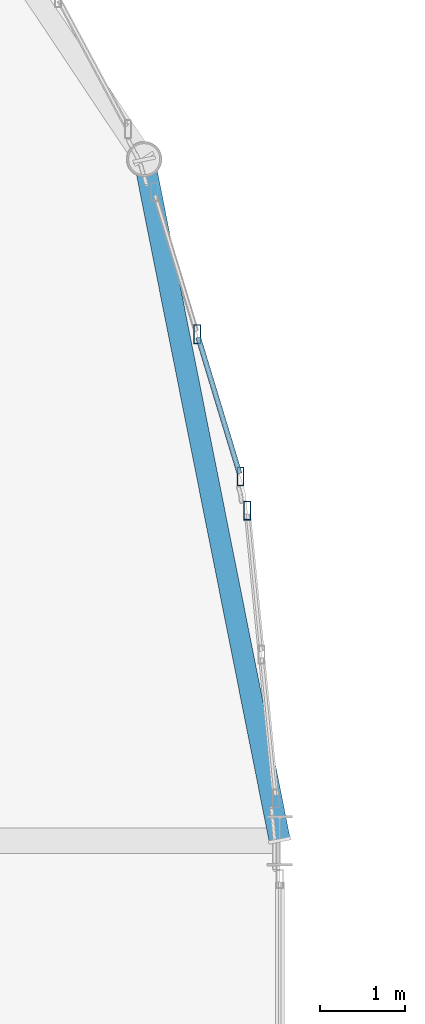
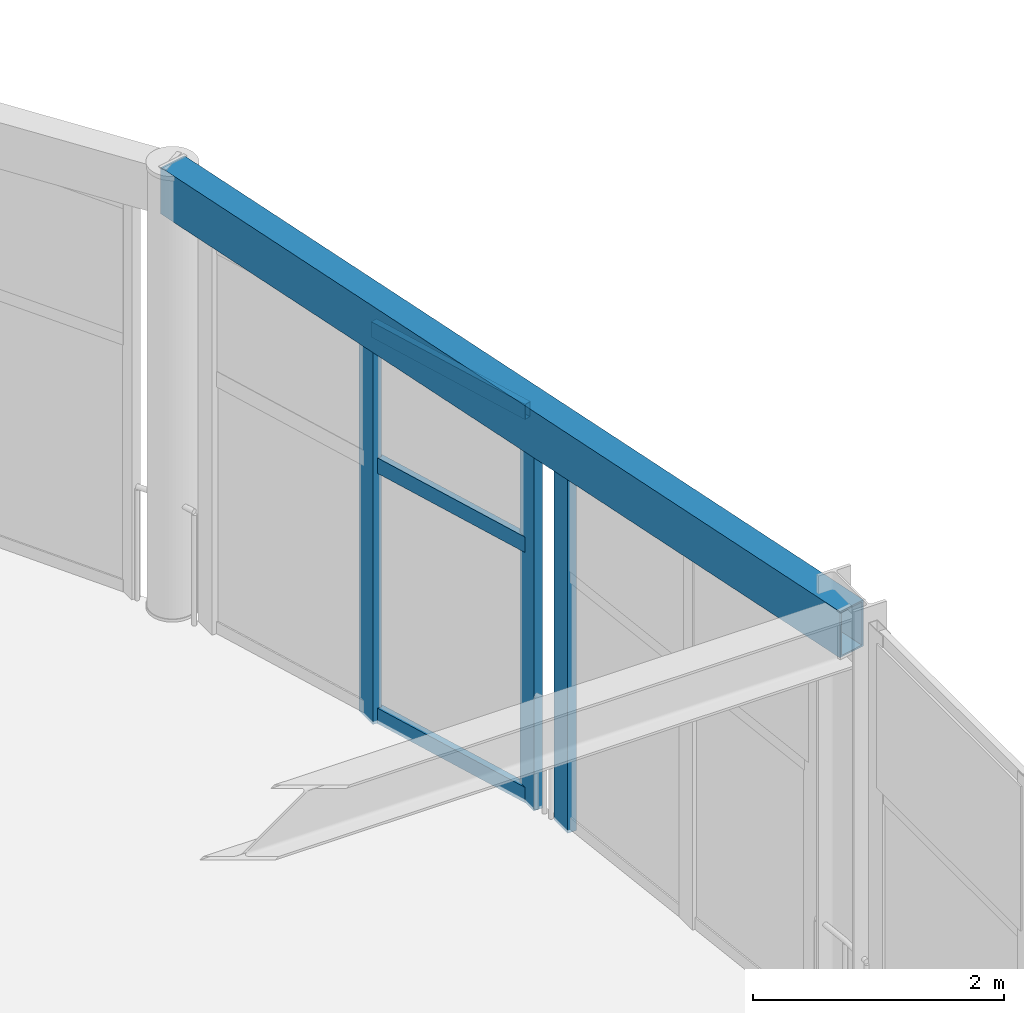
# One storey, part 48 of 105: 6 members, 1 beam, 2 elements without a shape of their own.
"""IFC4 building model written with IfcOpenShell, lengths in metres."""

from ifc_helpers import new_model, si_unit, direction, frame, origin, origin_2d, place, context, subcontext, project, spatial, hollow_rectangle, extrude, material, layer, layer_set, material_profile, profile_set, type_object, element, aggregate, save


model = new_model("IFC4")

# Units and contexts
model_context = context("Model", 3, precision=1e-05, world=origin(), true_north=direction((0.0, 1.0)))
body_context = subcontext(model_context, "Body", "Model", "MODEL_VIEW")
ifc_project = project(units=[si_unit("LENGTHUNIT", "METRE"), si_unit("AREAUNIT", "SQUARE_METRE"), si_unit("VOLUMEUNIT", "CUBIC_METRE"), si_unit("PLANEANGLEUNIT", "RADIAN"), si_unit("MASSUNIT", "GRAM", prefix="KILO")], contexts=[model_context])

# Site, building, storey
site_placement = place(None, origin())
site = spatial("IfcSite", under=ifc_project, at=site_placement, CompositionType="ELEMENT")
building_placement = place(site_placement, origin())
building = spatial("IfcBuilding", under=site, at=building_placement, Name="Marlcrest Central Station", CompositionType="ELEMENT")
storey_placement = place(building_placement, frame((0.0, 0.0, 15.0)))
storey = spatial("IfcBuildingStorey", under=building, at=storey_placement, Name="L03", CompositionType="ELEMENT", Elevation=15.0)

# Curtain wall, members
ifc_material_1 = material(Name="Anodised aluminium and hurricane laminated glass", Category="aluminium")
ifc_layer = layer(ifc_material_1, 0.219970703125, Name="CW-U1")
ifc_layer_set = layer_set([ifc_layer], Name="Anodised aluminium and hurricane laminated glass")
curtain_wall_type = type_object("IfcCurtainWallType", Name="CW-U1", PredefinedType="USERDEFINED", material=ifc_layer_set)
curtain_wall_1_placement = place(storey_placement, origin())
curtain_wall_1 = element("IfcCurtainWall", 1, at=curtain_wall_1_placement, inside=storey, type_object=curtain_wall_type, Name="cw-L03-0097", ObjectType="UNITISED_CURTAIN_WALL", PredefinedType="USERDEFINED")
ifc_material_2 = material(Name="Anodised aluminium 6063-T6", Category="aluminium")
ifc_material_profile_1 = material_profile(ifc_material_2, hollow_rectangle(XDim=0.080078125, YDim=0.219970703125, WallThickness=0.006103515625, at=origin_2d()), Name="AA-RHS 220x80x6")
ifc_profile_set_1 = profile_set([ifc_material_profile_1], Name="Anodised aluminium 6063-T6")
member_type_1 = type_object("IfcMemberType", Name="ML-01", PredefinedType="MULLION", material=ifc_profile_set_1)
member_1_placement = place(storey_placement, frame((128.02734375, 116.4716796875, -0.030029296875), z_axis=(0.0, 0.0, 1.0), x_axis=(1.0, 0.0, 0.0)))
member_1 = element("IfcMember", 2, at=member_1_placement, type_object=member_type_1, Name="cw-L03-0097-ml-1", PredefinedType="MULLION", context=body_context, shape_type="SweptSolid", body=[
    extrude(hollow_rectangle(XDim=0.080078125, YDim=0.219970703125, WallThickness=0.006103515625, at=origin_2d()), origin(), (0.0, 0.0, 1.0), 3.860107421875),
])
member_2_placement = place(storey_placement, frame((128.5361328125, 114.7939453125, -0.030029296875), z_axis=(0.0, 0.0, 1.0), x_axis=(1.0, 0.0, 0.0)))
member_2 = element("IfcMember", 3, at=member_2_placement, type_object=member_type_1, Name="cw-L03-0097-ml-2", PredefinedType="MULLION", context=body_context, shape_type="SweptSolid", body=[
    extrude(hollow_rectangle(XDim=0.080078125, YDim=0.219970703125, WallThickness=0.006103515625, at=origin_2d()), origin(), (0.0, 0.0, 1.0), 3.860107421875),
])

# Curtain wall, member
curtain_wall_2_placement = place(storey_placement, origin())
curtain_wall_2 = element("IfcCurtainWall", 4, at=curtain_wall_2_placement, inside=storey, type_object=curtain_wall_type, Name="cw-L03-0098", ObjectType="UNITISED_CURTAIN_WALL", PredefinedType="USERDEFINED")
member_3_placement = place(storey_placement, frame((128.6162109375, 114.39208984375, -0.030029296875), z_axis=(0.0, 0.0, 1.0), x_axis=(1.0, 0.0, 0.0)))
member_3 = element("IfcMember", 5, at=member_3_placement, type_object=member_type_1, Name="cw-L03-0098-ml-0", PredefinedType="MULLION", context=body_context, shape_type="SweptSolid", body=[
    extrude(hollow_rectangle(XDim=0.080078125, YDim=0.219970703125, WallThickness=0.006103515625, at=origin_2d()), origin(), (0.0, 0.0, 1.0), 3.860107421875),
])
aggregate(curtain_wall_2, [member_3])

# Beam
ifc_material_3 = material(Name="Steel S355", Category="steel")
ifc_material_profile_2 = material_profile(ifc_material_3, hollow_rectangle(XDim=0.25, YDim=0.449951171875, WallThickness=0.01611328125, at=origin_2d()), Name="RHS 450x250x16")
ifc_profile_set_2 = profile_set([ifc_material_profile_2], Name="Steel S355")
beam_type = type_object("IfcBeamType", Name="SP-02", PredefinedType="SPANDREL", material=ifc_profile_set_2)
beam_placement = place(storey_placement, frame((127.40087890625, 118.535888671875, 4.10009765625), z_axis=(0.19517056122, -0.980769316421, 0.0), x_axis=(0.980769316421, 0.19517056122, 0.0)))
element("IfcBeam", 6, at=beam_placement, inside=storey, type_object=beam_type, Name="bm-SP-02-L03-01525", PredefinedType="SPANDREL", context=body_context, shape_type="SweptSolid", body=[
    extrude(hollow_rectangle(XDim=0.25, YDim=0.449951171875, WallThickness=0.01611328125, at=origin_2d()), origin(), (0.0, 0.0, 1.0), 8.193359375),
])

# Member
ifc_material_profile_3 = material_profile(ifc_material_2, hollow_rectangle(XDim=0.06005859375, YDim=0.14990234375, WallThickness=0.00390625, at=origin_2d()), Name="AA-RHS 150x60x4")
ifc_profile_set_3 = profile_set([ifc_material_profile_3], Name="Anodised aluminium 6063-T6")
member_type_2 = type_object("IfcMemberType", Name="TR-01", PredefinedType="USERDEFINED", material=ifc_profile_set_3)
member_4_placement = place(storey_placement, frame((128.038330078125, 116.435302734375, 0.0400390625), z_axis=(0.29025787087, -0.95694846695, 0.0), x_axis=(0.95694846695, 0.29025787087, 0.0)))
member_4 = element("IfcMember", 7, at=member_4_placement, type_object=member_type_2, Name="cw-L03-0097-tr-1-sill", ObjectType="TRANSOM", PredefinedType="USERDEFINED", context=body_context, shape_type="SweptSolid", body=[
    extrude(hollow_rectangle(XDim=0.06005859375, YDim=0.14990234375, WallThickness=0.00390625, at=origin_2d()), origin(), (0.0, 0.0, 1.0), 1.67724609375),
])

member_5_placement = place(storey_placement, frame((128.038330078125, 116.435302734375, 2.469970703125), z_axis=(0.29025787087, -0.95694846695, 0.0), x_axis=(0.95694846695, 0.29025787087, 0.0)))
member_5 = element("IfcMember", 8, at=member_5_placement, type_object=member_type_2, Name="cw-L03-0097-tr-1-mid", ObjectType="TRANSOM", PredefinedType="USERDEFINED", context=body_context, shape_type="SweptSolid", body=[
    extrude(hollow_rectangle(XDim=0.06005859375, YDim=0.14990234375, WallThickness=0.00390625, at=origin_2d()), origin(), (0.0, 0.0, 1.0), 1.67724609375),
])

member_6_placement = place(storey_placement, frame((128.038330078125, 116.435302734375, 3.760009765625), z_axis=(0.29025787087, -0.95694846695, 0.0), x_axis=(0.95694846695, 0.29025787087, 0.0)))
member_6 = element("IfcMember", 9, at=member_6_placement, type_object=member_type_2, Name="cw-L03-0097-tr-1-head", ObjectType="TRANSOM", PredefinedType="USERDEFINED", context=body_context, shape_type="SweptSolid", body=[
    extrude(hollow_rectangle(XDim=0.06005859375, YDim=0.14990234375, WallThickness=0.00390625, at=origin_2d()), origin(), (0.0, 0.0, 1.0), 1.67724609375),
])

aggregate(curtain_wall_1, [member_1, member_2, member_4, member_5, member_6])

save(model, "model.ifc")
